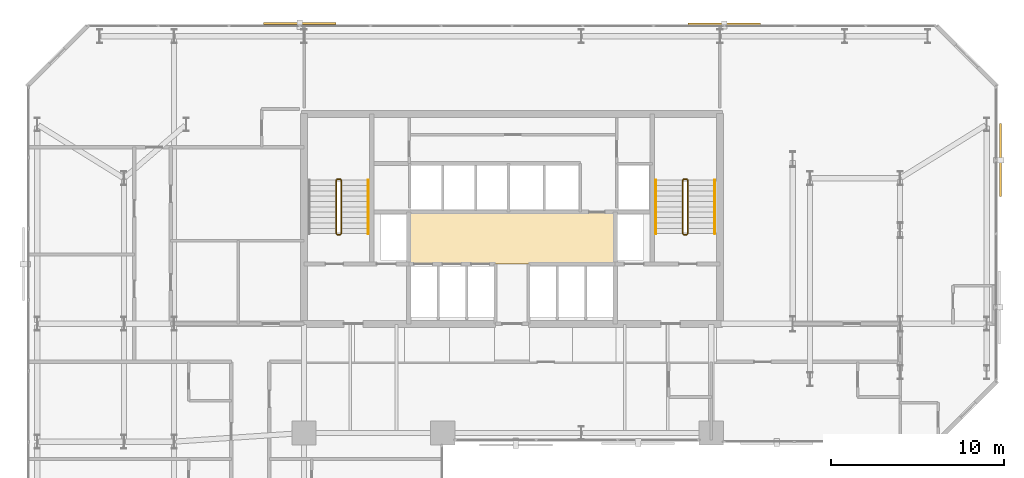
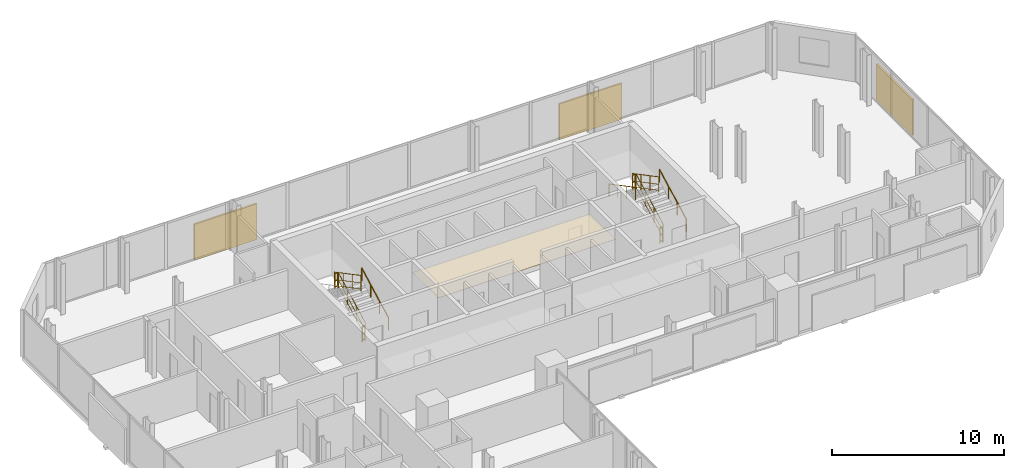
# One storey, part 33 of 33: 11 railings, 3 shading devices, 1 covering.
"""IFC4 building model written with IfcOpenShell, lengths in metres."""

from ifc_helpers import new_model, si_unit, direction, frame, origin, origin_2d, place, context, subcontext, project, spatial, polyline, rectangle, circle, outline, extrude, material, layer, layer_set, type_object, element, save


model = new_model("IFC4")

# Units and contexts
model_context = context("Model", 3, precision=1e-05, world=origin(), true_north=direction((0.0, 1.0)))
body_context = subcontext(model_context, "Body", "Model", "MODEL_VIEW")
ifc_project = project(units=[si_unit("LENGTHUNIT", "METRE"), si_unit("AREAUNIT", "SQUARE_METRE"), si_unit("VOLUMEUNIT", "CUBIC_METRE"), si_unit("PLANEANGLEUNIT", "RADIAN"), si_unit("MASSUNIT", "GRAM", prefix="KILO")], contexts=[model_context])

# Site, building, storey
site_placement = place(None, origin())
site = spatial("IfcSite", under=ifc_project, at=site_placement, CompositionType="ELEMENT")
building_placement = place(site_placement, origin())
building = spatial("IfcBuilding", under=site, at=building_placement, Name="Catumbela Crestline Tower", CompositionType="ELEMENT")
storey_placement = place(building_placement, frame((0.0, 0.0, 72.6)))
storey = spatial("IfcBuildingStorey", under=building, at=storey_placement, Name="L18", CompositionType="ELEMENT", Elevation=72.6)

# Covering
ifc_material_1 = material(Name="Mineral-fibre acoustic ceiling")
ifc_layer = layer(ifc_material_1, 0.03, Name="Mineral-fibre acoustic ceiling")
ifc_layer_set = layer_set([ifc_layer], Name="Mineral-fibre acoustic ceiling")
covering_type = type_object("IfcCoveringType", Name="CC-AC", PredefinedType="CEILING", material=ifc_layer_set)
covering_placement = place(storey_placement, frame((0.0, 0.0, 2.65)))
element("IfcCovering", 1, at=covering_placement, inside=storey, type_object=covering_type, Name="L18 Lift Lobby Acoustic Ceiling", PredefinedType="CEILING", context=body_context, shape_type="SweptSolid", body=[
    extrude(outline(polyline([(22.05, 34.25), (33.95, 34.25), (33.95, 37.25), (22.05, 37.25), (22.05, 34.25)])), origin(), (0.0, 0.0, 1.0), 0.03),
])

# Railings
ifc_material_2 = material(Name="Stainless steel EN 1.4401", Category="steel")
railing_type_1 = type_object("IfcRailingType", Name="RG-1100", PredefinedType="GUARDRAIL", material=ifc_material_2)
railing_1_placement = place(storey_placement, frame((18.14, 36.0, 0.1636)))
element("IfcRailing", 2, at=railing_1_placement, inside=storey, type_object=railing_type_1, Name="L18 ST-01 stair guard 1", PredefinedType="GUARDRAIL", context=body_context, shape_type="SweptSolid", body=[
    extrude(circle(Radius=0.024, at=origin_2d()), frame((0.0, 0.0, 1.076), z_axis=(0.0, 0.884350731049, 0.466823076222), x_axis=(-1.0, 0.0, 0.0)), (0.0, 0.0, 1.0), 3.5054),
    extrude(circle(Radius=0.0156, at=origin_2d()), frame((0.0, 0.0, 0.55), z_axis=(0.0, 0.884350731049, 0.466823076222), x_axis=(-1.0, 0.0, 0.0)), (0.0, 0.0, 1.0), 3.5054),
    extrude(circle(Radius=0.0156, at=origin_2d()), frame((0.0, 0.0, 0.12), z_axis=(0.0, 0.884350731049, 0.466823076222), x_axis=(-1.0, 0.0, 0.0)), (0.0, 0.0, 1.0), 3.5054),
    extrude(circle(Radius=0.021, at=origin_2d()), origin(), (0.0, 0.0, 1.0), 1.052),
    extrude(circle(Radius=0.021, at=origin_2d()), frame((0.0, 1.0333, 0.5455)), (0.0, 0.0, 1.0), 1.052),
    extrude(circle(Radius=0.021, at=origin_2d()), frame((0.0, 2.0667, 1.0909)), (0.0, 0.0, 1.0), 1.052),
    extrude(circle(Radius=0.021, at=origin_2d()), frame((0.0, 3.1, 1.6364)), (0.0, 0.0, 1.0), 1.052),
])
railing_2_placement = place(storey_placement, frame((18.09, 39.15, 1.8)))
element("IfcRailing", 3, at=railing_2_placement, inside=storey, type_object=railing_type_1, Name="L18 ST-01 stair guard 2", PredefinedType="GUARDRAIL", context=body_context, shape_type="SweptSolid", body=[
    extrude(circle(Radius=0.024, at=origin_2d()), frame((0.0, 0.0, 1.076), z_axis=(-1.0, 0.0, 0.0), x_axis=(0.0, -1.0, 0.0)), (0.0, 0.0, 1.0), 0.18),
    extrude(circle(Radius=0.0156, at=origin_2d()), frame((0.0, 0.0, 0.55), z_axis=(-1.0, 0.0, 0.0), x_axis=(0.0, -1.0, 0.0)), (0.0, 0.0, 1.0), 0.18),
    extrude(circle(Radius=0.0156, at=origin_2d()), frame((0.0, 0.0, 0.12), z_axis=(-1.0, 0.0, 0.0), x_axis=(0.0, -1.0, 0.0)), (0.0, 0.0, 1.0), 0.18),
    extrude(circle(Radius=0.021, at=origin_2d()), origin(), (0.0, 0.0, 1.0), 1.052),
    extrude(circle(Radius=0.021, at=origin_2d()), frame((-0.18, 0.0, 0.0)), (0.0, 0.0, 1.0), 1.052),
])
railing_3_placement = place(storey_placement, frame((17.86, 39.1, 1.9636)))
element("IfcRailing", 4, at=railing_3_placement, inside=storey, type_object=railing_type_1, Name="L18 ST-01 stair guard 3", PredefinedType="GUARDRAIL", context=body_context, shape_type="SweptSolid", body=[
    extrude(circle(Radius=0.024, at=origin_2d()), frame((0.0, 0.0, 1.076), z_axis=(0.0, -0.884350731049, 0.466823076222), x_axis=(1.0, 0.0, 0.0)), (0.0, 0.0, 1.0), 3.5054),
    extrude(circle(Radius=0.0156, at=origin_2d()), frame((0.0, 0.0, 0.55), z_axis=(0.0, -0.884350731049, 0.466823076222), x_axis=(1.0, 0.0, 0.0)), (0.0, 0.0, 1.0), 3.5054),
    extrude(circle(Radius=0.0156, at=origin_2d()), frame((0.0, 0.0, 0.12), z_axis=(0.0, -0.884350731049, 0.466823076222), x_axis=(1.0, 0.0, 0.0)), (0.0, 0.0, 1.0), 3.5054),
    extrude(circle(Radius=0.021, at=origin_2d()), origin(), (0.0, 0.0, 1.0), 1.052),
    extrude(circle(Radius=0.021, at=origin_2d()), frame((0.0, -1.0333, 0.5455)), (0.0, 0.0, 1.0), 1.052),
    extrude(circle(Radius=0.021, at=origin_2d()), frame((0.0, -2.0667, 1.0909)), (0.0, 0.0, 1.0), 1.052),
    extrude(circle(Radius=0.021, at=origin_2d()), frame((0.0, -3.1, 1.6364)), (0.0, 0.0, 1.0), 1.052),
])
railing_4_placement = place(storey_placement, frame((18.09, 35.95, 0.0)))
element("IfcRailing", 5, at=railing_4_placement, inside=storey, type_object=railing_type_1, Name="L18 ST-01 stair guard 4", PredefinedType="GUARDRAIL", context=body_context, shape_type="SweptSolid", body=[
    extrude(circle(Radius=0.024, at=origin_2d()), frame((0.0, 0.0, 1.076), z_axis=(-1.0, 0.0, 0.0), x_axis=(0.0, -1.0, 0.0)), (0.0, 0.0, 1.0), 0.18),
    extrude(circle(Radius=0.0156, at=origin_2d()), frame((0.0, 0.0, 0.55), z_axis=(-1.0, 0.0, 0.0), x_axis=(0.0, -1.0, 0.0)), (0.0, 0.0, 1.0), 0.18),
    extrude(circle(Radius=0.0156, at=origin_2d()), frame((0.0, 0.0, 0.12), z_axis=(-1.0, 0.0, 0.0), x_axis=(0.0, -1.0, 0.0)), (0.0, 0.0, 1.0), 0.18),
    extrude(circle(Radius=0.021, at=origin_2d()), origin(), (0.0, 0.0, 1.0), 1.052),
    extrude(circle(Radius=0.021, at=origin_2d()), frame((-0.18, 0.0, 0.0)), (0.0, 0.0, 1.0), 1.052),
])
railing_5_placement = place(storey_placement, frame((38.14, 36.0, 0.1636)))
element("IfcRailing", 6, at=railing_5_placement, inside=storey, type_object=railing_type_1, Name="L18 ST-02 stair guard 1", PredefinedType="GUARDRAIL", context=body_context, shape_type="SweptSolid", body=[
    extrude(circle(Radius=0.024, at=origin_2d()), frame((0.0, 0.0, 1.076), z_axis=(0.0, 0.884350731049, 0.466823076222), x_axis=(-1.0, 0.0, 0.0)), (0.0, 0.0, 1.0), 3.5054),
    extrude(circle(Radius=0.0156, at=origin_2d()), frame((0.0, 0.0, 0.55), z_axis=(0.0, 0.884350731049, 0.466823076222), x_axis=(-1.0, 0.0, 0.0)), (0.0, 0.0, 1.0), 3.5054),
    extrude(circle(Radius=0.0156, at=origin_2d()), frame((0.0, 0.0, 0.12), z_axis=(0.0, 0.884350731049, 0.466823076222), x_axis=(-1.0, 0.0, 0.0)), (0.0, 0.0, 1.0), 3.5054),
    extrude(circle(Radius=0.021, at=origin_2d()), origin(), (0.0, 0.0, 1.0), 1.052),
    extrude(circle(Radius=0.021, at=origin_2d()), frame((0.0, 1.0333, 0.5455)), (0.0, 0.0, 1.0), 1.052),
    extrude(circle(Radius=0.021, at=origin_2d()), frame((0.0, 2.0667, 1.0909)), (0.0, 0.0, 1.0), 1.052),
    extrude(circle(Radius=0.021, at=origin_2d()), frame((0.0, 3.1, 1.6364)), (0.0, 0.0, 1.0), 1.052),
])
railing_6_placement = place(storey_placement, frame((38.09, 39.15, 1.8)))
element("IfcRailing", 7, at=railing_6_placement, inside=storey, type_object=railing_type_1, Name="L18 ST-02 stair guard 2", PredefinedType="GUARDRAIL", context=body_context, shape_type="SweptSolid", body=[
    extrude(circle(Radius=0.024, at=origin_2d()), frame((0.0, 0.0, 1.076), z_axis=(-1.0, 0.0, 0.0), x_axis=(0.0, -1.0, 0.0)), (0.0, 0.0, 1.0), 0.18),
    extrude(circle(Radius=0.0156, at=origin_2d()), frame((0.0, 0.0, 0.55), z_axis=(-1.0, 0.0, 0.0), x_axis=(0.0, -1.0, 0.0)), (0.0, 0.0, 1.0), 0.18),
    extrude(circle(Radius=0.0156, at=origin_2d()), frame((0.0, 0.0, 0.12), z_axis=(-1.0, 0.0, 0.0), x_axis=(0.0, -1.0, 0.0)), (0.0, 0.0, 1.0), 0.18),
    extrude(circle(Radius=0.021, at=origin_2d()), origin(), (0.0, 0.0, 1.0), 1.052),
    extrude(circle(Radius=0.021, at=origin_2d()), frame((-0.18, 0.0, 0.0)), (0.0, 0.0, 1.0), 1.052),
])
railing_7_placement = place(storey_placement, frame((37.86, 39.1, 1.9636)))
element("IfcRailing", 8, at=railing_7_placement, inside=storey, type_object=railing_type_1, Name="L18 ST-02 stair guard 3", PredefinedType="GUARDRAIL", context=body_context, shape_type="SweptSolid", body=[
    extrude(circle(Radius=0.024, at=origin_2d()), frame((0.0, 0.0, 1.076), z_axis=(0.0, -0.884350731049, 0.466823076222), x_axis=(1.0, 0.0, 0.0)), (0.0, 0.0, 1.0), 3.5054),
    extrude(circle(Radius=0.0156, at=origin_2d()), frame((0.0, 0.0, 0.55), z_axis=(0.0, -0.884350731049, 0.466823076222), x_axis=(1.0, 0.0, 0.0)), (0.0, 0.0, 1.0), 3.5054),
    extrude(circle(Radius=0.0156, at=origin_2d()), frame((0.0, 0.0, 0.12), z_axis=(0.0, -0.884350731049, 0.466823076222), x_axis=(1.0, 0.0, 0.0)), (0.0, 0.0, 1.0), 3.5054),
    extrude(circle(Radius=0.021, at=origin_2d()), origin(), (0.0, 0.0, 1.0), 1.052),
    extrude(circle(Radius=0.021, at=origin_2d()), frame((0.0, -1.0333, 0.5455)), (0.0, 0.0, 1.0), 1.052),
    extrude(circle(Radius=0.021, at=origin_2d()), frame((0.0, -2.0667, 1.0909)), (0.0, 0.0, 1.0), 1.052),
    extrude(circle(Radius=0.021, at=origin_2d()), frame((0.0, -3.1, 1.6364)), (0.0, 0.0, 1.0), 1.052),
])
railing_8_placement = place(storey_placement, frame((38.09, 35.95, 0.0)))
element("IfcRailing", 9, at=railing_8_placement, inside=storey, type_object=railing_type_1, Name="L18 ST-02 stair guard 4", PredefinedType="GUARDRAIL", context=body_context, shape_type="SweptSolid", body=[
    extrude(circle(Radius=0.024, at=origin_2d()), frame((0.0, 0.0, 1.076), z_axis=(-1.0, 0.0, 0.0), x_axis=(0.0, -1.0, 0.0)), (0.0, 0.0, 1.0), 0.18),
    extrude(circle(Radius=0.0156, at=origin_2d()), frame((0.0, 0.0, 0.55), z_axis=(-1.0, 0.0, 0.0), x_axis=(0.0, -1.0, 0.0)), (0.0, 0.0, 1.0), 0.18),
    extrude(circle(Radius=0.0156, at=origin_2d()), frame((0.0, 0.0, 0.12), z_axis=(-1.0, 0.0, 0.0), x_axis=(0.0, -1.0, 0.0)), (0.0, 0.0, 1.0), 0.18),
    extrude(circle(Radius=0.021, at=origin_2d()), origin(), (0.0, 0.0, 1.0), 1.052),
    extrude(circle(Radius=0.021, at=origin_2d()), frame((-0.18, 0.0, 0.0)), (0.0, 0.0, 1.0), 1.052),
])
railing_type_2 = type_object("IfcRailingType", Name="RH-0900", PredefinedType="HANDRAIL", material=ifc_material_2)
for number, where, name in (
    (10, (19.7, 36.0, 0.1636), "L18 ST-01 stair handrail 1"),
    (11, (39.7, 36.0, 0.1636), "L18 ST-02 stair handrail 1"),
):
    element("IfcRailing", number, at=place(storey_placement, frame(where)), inside=storey, type_object=railing_type_2, Name=name, PredefinedType="HANDRAIL", context=body_context, shape_type="SweptSolid", body=[
        extrude(circle(Radius=0.024, at=origin_2d()), frame((0.0, 0.0, 0.876), z_axis=(0.0, 0.884350731049, 0.466823076222), x_axis=(-1.0, 0.0, 0.0)), (0.0, 0.0, 1.0), 3.5054),
        extrude(circle(Radius=0.021, at=origin_2d()), origin(), (0.0, 0.0, 1.0), 0.852),
        extrude(circle(Radius=0.021, at=origin_2d()), frame((0.0, 1.0333, 0.5455)), (0.0, 0.0, 1.0), 0.852),
        extrude(circle(Radius=0.021, at=origin_2d()), frame((0.0, 2.0667, 1.0909)), (0.0, 0.0, 1.0), 0.852),
        extrude(circle(Radius=0.021, at=origin_2d()), frame((0.0, 3.1, 1.6364)), (0.0, 0.0, 1.0), 0.852),
    ])
railing_9_placement = place(storey_placement, frame((36.3, 39.1, 1.9636)))
element("IfcRailing", 12, at=railing_9_placement, inside=storey, type_object=railing_type_2, Name="L18 ST-02 stair handrail 2", PredefinedType="HANDRAIL", context=body_context, shape_type="SweptSolid", body=[
    extrude(circle(Radius=0.024, at=origin_2d()), frame((0.0, 0.0, 0.876), z_axis=(0.0, -0.884350731049, 0.466823076222), x_axis=(1.0, 0.0, 0.0)), (0.0, 0.0, 1.0), 3.5054),
    extrude(circle(Radius=0.021, at=origin_2d()), origin(), (0.0, 0.0, 1.0), 0.852),
    extrude(circle(Radius=0.021, at=origin_2d()), frame((0.0, -1.0333, 0.5455)), (0.0, 0.0, 1.0), 0.852),
    extrude(circle(Radius=0.021, at=origin_2d()), frame((0.0, -2.0667, 1.0909)), (0.0, 0.0, 1.0), 0.852),
    extrude(circle(Radius=0.021, at=origin_2d()), frame((0.0, -3.1, 1.6364)), (0.0, 0.0, 1.0), 0.852),
])

# Shading devices
ifc_material_3 = material(Name="Extruded terracotta ceramic", Category="masonry")
shading_device_type_1 = type_object("IfcShadingDeviceType", Name="ST-180", PredefinedType="USERDEFINED", material=ifc_material_3)
shading_device_1_placement = place(storey_placement, frame((40.25, 48.099, -0.1), z_axis=(0.0, 0.0, 1.0), x_axis=(-1.0, 0.0, 0.0)))
element("IfcShadingDevice", 13, at=shading_device_1_placement, inside=storey, type_object=shading_device_type_1, Name="L18 Perforated Terracotta Solar Screen 193 (180 mm)", ObjectType="SCREEN", PredefinedType="USERDEFINED", context=body_context, shape_type="SweptSolid", body=[
    extrude(rectangle(XDim=4.2, YDim=0.12, at=origin_2d()), origin(), (0.0, 0.0, 1.0), 2.55),
])
shading_device_type_2 = type_object("IfcShadingDeviceType", Name="ST-260", PredefinedType="USERDEFINED", material=ifc_material_3)
shading_device_2_placement = place(storey_placement, frame((15.75, 48.143, -0.1), z_axis=(0.0, 0.0, 1.0), x_axis=(-1.0, 0.0, 0.0)))
element("IfcShadingDevice", 14, at=shading_device_2_placement, inside=storey, type_object=shading_device_type_2, Name="L18 Perforated Terracotta Solar Screen 194 (260 mm)", ObjectType="SCREEN", PredefinedType="USERDEFINED", context=body_context, shape_type="SweptSolid", body=[
    extrude(rectangle(XDim=4.2, YDim=0.12, at=origin_2d()), origin(), (0.0, 0.0, 1.0), 2.55),
])
shading_device_type_3 = type_object("IfcShadingDeviceType", Name="ST-340", PredefinedType="USERDEFINED", material=ifc_material_3)
shading_device_3_placement = place(storey_placement, frame((56.187, 40.25, -0.1), z_axis=(0.0, 0.0, 1.0), x_axis=(0.0, 1.0, 0.0)))
element("IfcShadingDevice", 15, at=shading_device_3_placement, inside=storey, type_object=shading_device_type_3, Name="L18 Perforated Terracotta Solar Screen 192 (340 mm)", ObjectType="SCREEN", PredefinedType="USERDEFINED", context=body_context, shape_type="SweptSolid", body=[
    extrude(rectangle(XDim=4.2, YDim=0.12, at=origin_2d()), origin(), (0.0, 0.0, 1.0), 2.55),
])

save(model, "model.ifc")
